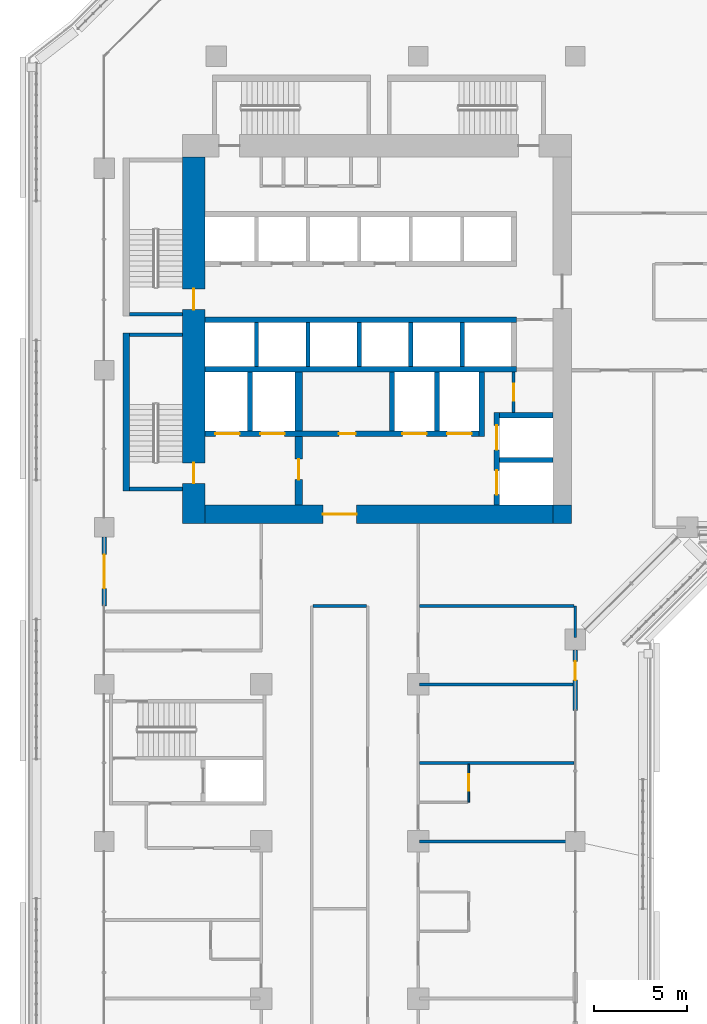
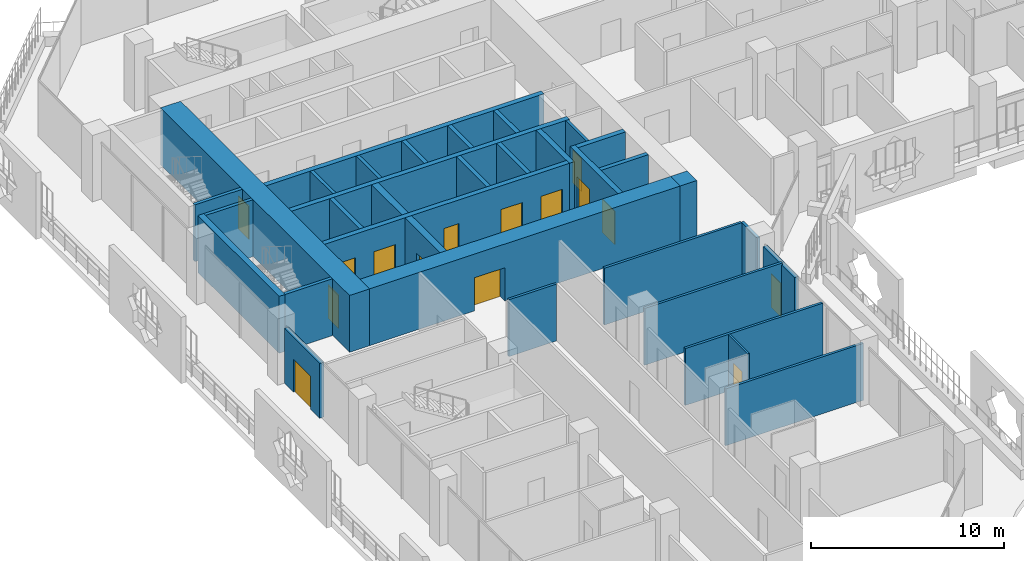
# One storey, part 13 of 25: 34 walls, 15 doors, 15 openings.
"""IFC4 building model written with IfcOpenShell, lengths in metres."""

import ifcopenshell
import ifcopenshell.guid

model = None  # the IFC model being written
_history = None  # IfcOwnerHistory: only IFC2X3 demands one
_inside = {}  # id of a spatial element -> (the spatial element, [elements in it])
_under = {}  # id of a project, library or spatial element -> (it, [spatial elements below it])
_declared = {}  # id of a project -> (the project, [libraries it declares])
_typed = {}  # id of a type object -> (the type object, [elements of that type])
_made_of = {}  # id of a material, layer set ... -> (it, [elements and type objects made of it])


def new_model(schema):
    """Start an empty IFC model of exactly this schema.

    Asked for "IFC4X3", IfcOpenShell would pick the latest addendum, in which some entities
    have other attributes; the version numbers below select the first issue.
    IFC2X3 requires an IfcOwnerHistory on every rooted entity: one is made here for all.
    """
    global model, _history
    if schema == "IFC4X3":
        model = ifcopenshell.file(schema_version=(4, 3, 0, 0))
    else:
        model = ifcopenshell.file(schema=schema)
    _inside.clear()
    _under.clear()
    _declared.clear()
    _typed.clear()
    _made_of.clear()
    _history = None
    if model.schema == "IFC2X3":
        org = make("IfcOrganization", Name="unknown")
        user = make(
            "IfcPersonAndOrganization",
            ThePerson=make("IfcPerson", FamilyName="unknown"),
            TheOrganization=org,
        )
        app = make(
            "IfcApplication",
            ApplicationDeveloper=org,
            Version="unknown",
            ApplicationFullName="unknown",
            ApplicationIdentifier="unknown",
        )
        _history = make(
            "IfcOwnerHistory",
            OwningUser=user,
            OwningApplication=app,
            ChangeAction="ADDED",
            CreationDate=0,
        )
    return model


def make(cls, **values):
    """One entity of the class cls with the attributes given. An attribute that is None is left unset."""
    return model.create_entity(
        cls, **{name: value for name, value in values.items() if value is not None}
    )


def rooted(cls, **values):
    """An entity with a GlobalId (a new one), such as an element, a storey or a relation."""
    return make(cls, GlobalId=ifcopenshell.guid.new(), OwnerHistory=_history, **values)


def si_unit(unit_type, name, prefix=None):
    """IfcSIUnit, for example si_unit("LENGTHUNIT", "METRE", prefix="MILLI")."""
    return make("IfcSIUnit", UnitType=unit_type, Prefix=prefix, Name=name)


def assignment(units):
    """IfcUnitAssignment: the units of a project."""
    return None if units is None else make("IfcUnitAssignment", Units=units)


def point(xyz):
    """IfcCartesianPoint."""
    return None if xyz is None else make("IfcCartesianPoint", Coordinates=xyz)


def direction(xyz):
    """IfcDirection."""
    return None if xyz is None else make("IfcDirection", DirectionRatios=xyz)


def frame(location, z_axis=None, x_axis=None):
    """IfcAxis2Placement3D, a coordinate frame: its origin and axes. An axis left out is left unset."""
    return make(
        "IfcAxis2Placement3D",
        Location=point(location),
        Axis=direction(z_axis),
        RefDirection=direction(x_axis),
    )


def frame_2d(location, x_axis=None):
    """IfcAxis2Placement2D, a coordinate frame in the plane: its origin and x axis."""
    return make(
        "IfcAxis2Placement2D", Location=point(location), RefDirection=direction(x_axis)
    )


def origin():
    """The frame at (0, 0, 0) with its axes left unset."""
    return frame((0.0, 0.0, 0.0))


def place(relative_to, where):
    """IfcLocalPlacement: puts the frame where relative to a parent placement (None: the world)."""
    return make(
        "IfcLocalPlacement", PlacementRelTo=relative_to, RelativePlacement=where
    )


def context(
    kind, dimensions, precision=None, world=None, true_north=None, identifier=None
):
    """IfcGeometricRepresentationContext, for example the 3D "Model" context."""
    return make(
        "IfcGeometricRepresentationContext",
        ContextIdentifier=identifier,
        ContextType=kind,
        CoordinateSpaceDimension=dimensions,
        Precision=precision,
        WorldCoordinateSystem=world,
        TrueNorth=true_north,
    )


def subcontext(parent, identifier, kind, view, scale=None):
    """IfcGeometricRepresentationSubContext, for example "Body" below "Model"."""
    return make(
        "IfcGeometricRepresentationSubContext",
        ContextIdentifier=identifier,
        ContextType=kind,
        ParentContext=parent,
        TargetScale=scale,
        TargetView=view,
    )


def project(units=None, contexts=None):
    """IfcProject with its units and contexts."""
    return rooted(
        "IfcProject",
        Name="project",
        RepresentationContexts=contexts,
        UnitsInContext=assignment(units),
    )


def spatial(cls, under=None, at=None, **own):
    """A site, building, storey or space (cls), placed at a placement, below another one or the project."""
    s = rooted(cls, ObjectPlacement=at, **own)
    if under is not None:
        _under.setdefault(under.id(), (under, []))[1].append(s)
    return s


def profile(cls, at=None, kind="AREA", **sizes):
    """A parametric profile (cls). Its sizes go by their IFC names, for example OverallWidth=200.0."""
    return make(cls, ProfileType=kind, Position=at, **sizes)


def rectangle(**sizes):
    """IfcRectangleProfileDef."""
    return profile("IfcRectangleProfileDef", **sizes)


def extrude(swept, where, along, depth):
    """IfcExtrudedAreaSolid: the profile swept, set in the frame where, extruded along a direction by depth."""
    return make(
        "IfcExtrudedAreaSolid",
        SweptArea=swept,
        Position=where,
        ExtrudedDirection=direction(along),
        Depth=depth,
    )


def shape(context_of_items, identifier, shape_type, items):
    """IfcShapeRepresentation: the items that make up one representation, for example the "Body"."""
    return make(
        "IfcShapeRepresentation",
        ContextOfItems=context_of_items,
        RepresentationIdentifier=identifier,
        RepresentationType=shape_type,
        Items=items,
    )


def material(Name=None, Category=None):
    """IfcMaterial."""
    return make("IfcMaterial", Name=Name, Category=Category)


def layer(
    of_material, thickness, ventilated=None, Name=None, Category=None, Priority=None
):
    """IfcMaterialLayer: one layer of a wall or slab, of a material (None: an air gap)."""
    return make(
        "IfcMaterialLayer",
        Material=of_material,
        LayerThickness=thickness,
        IsVentilated=ventilated,
        Name=Name,
        Category=Category,
        Priority=Priority,
    )


def layer_set(layers, Name=None):
    """IfcMaterialLayerSet."""
    return make("IfcMaterialLayerSet", MaterialLayers=layers, LayerSetName=Name)


def made_of(thing, what):
    """Note that an element or type object is made of a material, layer set ...; save() writes the relation."""
    if what is not None:
        _made_of.setdefault(what.id(), (what, []))[1].append(thing)
    return thing


def type_object(cls, material=None, **own):
    """A type object (cls), such as IfcWallType, which elements share."""
    return made_of(rooted(cls, **own), material)


def element(
    cls,
    number,
    at=None,
    inside=None,
    cuts=None,
    type_object=None,
    material=None,
    context=None,
    identifier="Body",
    shape_type=None,
    held_by="IfcProductDefinitionShape",
    body=None,
    shapes=None,
    **own,
):
    """One element of the class cls, such as IfcWall. Its Tag is "e" and its number.

    at: its placement. inside: the storey or other place that contains it. cuts: it is an
    opening in that element (IfcRelVoidsElement). A single representation is given by context,
    identifier, shape_type and body (its items); several are given by shapes. held_by: the class
    of the entity that holds the representations. save() writes the other relations.
    """
    e = rooted(cls, Tag="e%d" % number, ObjectPlacement=at, **own)
    if body is not None:
        shapes = [shape(context, identifier, shape_type, body)]
    if shapes is not None:
        e.Representation = make(held_by, Representations=shapes)
    if inside is not None:
        _inside.setdefault(inside.id(), (inside, []))[1].append(e)
    if cuts is not None:
        rooted(
            "IfcRelVoidsElement", RelatingBuildingElement=cuts, RelatedOpeningElement=e
        )
    if type_object is not None:
        _typed.setdefault(type_object.id(), (type_object, []))[1].append(e)
    return made_of(e, material)


def fill(opening, filler):
    """IfcRelFillsElement: the door or window that sits in an opening."""
    return rooted(
        "IfcRelFillsElement",
        RelatingOpeningElement=opening,
        RelatedBuildingElement=filler,
    )


def aggregate(whole, parts):
    """IfcRelAggregates: a whole, such as a stair, and the parts it consists of."""
    return rooted("IfcRelAggregates", RelatingObject=whole, RelatedObjects=parts)


def save(model, path):
    """Write the relations noted so far, then the file.

    IfcRelAggregates (storeys below a building ...), IfcRelContainedInSpatialStructure (elements
    in a storey), IfcRelDefinesByType, IfcRelAssociatesMaterial and IfcRelDeclares: one each for
    every whole, place, type object, material and project.
    """
    for whole, parts in _under.values():
        aggregate(whole, parts)
    for where, things in _inside.values():
        rooted(
            "IfcRelContainedInSpatialStructure",
            RelatedElements=things,
            RelatingStructure=where,
        )
    for kind, things in _typed.values():
        rooted("IfcRelDefinesByType", RelatedObjects=things, RelatingType=kind)
    for what, things in _made_of.values():
        rooted("IfcRelAssociatesMaterial", RelatedObjects=things, RelatingMaterial=what)
    for by, libraries in _declared.values():
        rooted("IfcRelDeclares", RelatingContext=by, RelatedDefinitions=libraries)
    model.write(path)


model = new_model("IFC4")

# Units and contexts
model_context = context("Model", 3, precision=1e-05, world=origin(), true_north=direction((0.0, 1.0)))
body_context = subcontext(model_context, "Body", "Model", "MODEL_VIEW")
ifc_project = project(units=[si_unit("LENGTHUNIT", "METRE"), si_unit("AREAUNIT", "SQUARE_METRE"), si_unit("VOLUMEUNIT", "CUBIC_METRE"), si_unit("PLANEANGLEUNIT", "RADIAN"), si_unit("MASSUNIT", "GRAM", prefix="KILO")], contexts=[model_context])

# Site, building, storey
site_placement = place(None, origin())
site = spatial("IfcSite", under=ifc_project, at=site_placement, CompositionType="ELEMENT")
building_placement = place(site_placement, origin())
building = spatial("IfcBuilding", under=site, at=building_placement, Name="Kawkab Arch Medical Tower", CompositionType="ELEMENT")
storey_placement = place(building_placement, frame((0.0, 0.0, 140.800048828125)))
storey = spatial("IfcBuildingStorey", under=building, at=storey_placement, Name="L32", CompositionType="ELEMENT", Elevation=140.800048828125)

# Wall, opening, door
ifc_material_1 = material(Name="Concrete C60/75", Category="concrete")
ifc_layer_1 = layer(ifc_material_1, 1.0)
ifc_layer_set_1 = layer_set([ifc_layer_1], Name="Concrete C60/75")
wall_type_1 = type_object("IfcWallType", Name="Core ring wall 1000 C60/75", PredefinedType="SHEAR", material=ifc_layer_set_1)
wall_1_placement = place(storey_placement, frame((5.39990234375, -24.5, 0.0), z_axis=(0.0, 0.0, 1.0), x_axis=(1.0, 0.0, 0.0)))
wall_1 = element("IfcWall", 1, at=wall_1_placement, inside=storey, type_object=wall_type_1, Name="L32 core wall", PredefinedType="SHEAR", context=body_context, shape_type="SweptSolid", body=[
    extrude(rectangle(XDim=18.60009765625, YDim=1.0, at=frame_2d((9.300048828125, 0.0))), origin(), (0.0, 0.0, 1.0), 3.599853515625),
])
opening_1_placement = place(wall_1_placement, frame((6.300048828125, 0.0, 0.0)))
opening_1 = element("IfcOpeningElement", 2, at=opening_1_placement, cuts=wall_1, Name="Opening PD", PredefinedType="OPENING", context=body_context, shape_type="SweptSolid", body=[
    extrude(rectangle(XDim=1.800048828125, YDim=2.10009765625, at=frame_2d((0.89990234375, 1.050048828125))), frame((0.0, 0.510009765625, 0.0), z_axis=(0.0, -1.0, 0.0), x_axis=(1.0, 0.0, 0.0)), (0.0, 0.0, 1.0), 1.02001953125),
])
ifc_material_2 = material(Name="Hollow metal fire door leaf")
door_type_1 = type_object("IfcDoorType", Name="Core entrance doors 1800", OperationType="DOUBLE_DOOR_SINGLE_SWING", PredefinedType="DOOR", material=ifc_material_2)
door_1_placement = place(opening_1_placement, origin())
door_1 = element("IfcDoor", 3, at=door_1_placement, inside=storey, type_object=door_type_1, Name="L32 South entrance doors", OperationType="DOUBLE_DOOR_SINGLE_SWING", OverallHeight=2.10009765625, OverallWidth=1.800048828125, PredefinedType="DOOR", context=body_context, shape_type="SweptSolid", body=[
    extrude(rectangle(XDim=1.800048828125, YDim=2.10009765625, at=frame_2d((0.89990234375, 1.050048828125))), frame((0.0, 0.02490234375, 0.0), z_axis=(0.0, -1.0, 0.0), x_axis=(1.0, 0.0, 0.0)), (0.0, 0.0, 1.0), 0.050048828125),
])
fill(opening_1, door_1)

# Wall
wall_2_placement = place(storey_placement, frame((24.5, -25.0, 0.0), z_axis=(0.0, 0.0, 1.0), x_axis=(0.0, 1.0, 0.0)))
element("IfcWall", 4, at=wall_2_placement, inside=storey, type_object=wall_type_1, Name="L32 core wall", PredefinedType="SHEAR", context=body_context, shape_type="SweptSolid", body=[
    extrude(rectangle(XDim=1.0, YDim=1.0, at=frame_2d((0.5, 0.0))), origin(), (0.0, 0.0, 1.0), 3.599853515625),
])

# Wall, openings, doors
ifc_material_3 = material(Name="Concrete C60/75", Category="concrete")
ifc_layer_2 = layer(ifc_material_3, 1.199951171875)
ifc_layer_set_2 = layer_set([ifc_layer_2], Name="Concrete C60/75")
wall_type_2 = type_object("IfcWallType", Name="Core ring wall 1200 C60/75", PredefinedType="SHEAR", material=ifc_layer_set_2)
wall_3_placement = place(storey_placement, frame((4.800048828125, -25.0, 0.0), z_axis=(0.0, 0.0, 1.0), x_axis=(0.0, 1.0, 0.0)))
wall_3 = element("IfcWall", 5, at=wall_3_placement, inside=storey, type_object=wall_type_2, Name="L32 core wall", PredefinedType="SHEAR", context=body_context, shape_type="SweptSolid", body=[
    extrude(rectangle(XDim=19.60009765625, YDim=1.199951171875, at=frame_2d((9.800048828125, 0.0))), origin(), (0.0, 0.0, 1.0), 3.599853515625),
])
opening_2_placement = place(wall_3_placement, frame((11.449951171875, 0.0, 0.0)))
opening_2 = element("IfcOpeningElement", 6, at=opening_2_placement, cuts=wall_3, Name="Opening SD", PredefinedType="OPENING", context=body_context, shape_type="SweptSolid", body=[
    extrude(rectangle(XDim=1.10009765625, YDim=2.10009765625, at=frame_2d((0.550048828125, 1.050048828125))), frame((0.0, 0.60986328125, 0.0), z_axis=(0.0, -1.0, 0.0), x_axis=(1.0, 0.0, 0.0)), (0.0, 0.0, 1.0), 1.219970703125),
])
opening_3_placement = place(wall_3_placement, frame((2.14990234375, 0.0, 0.0)))
opening_3 = element("IfcOpeningElement", 7, at=opening_3_placement, cuts=wall_3, Name="Opening SD", PredefinedType="OPENING", context=body_context, shape_type="SweptSolid", body=[
    extrude(rectangle(XDim=1.10009765625, YDim=2.10009765625, at=frame_2d((0.550048828125, 1.050048828125))), frame((0.0, 0.60986328125, 0.0), z_axis=(0.0, -1.0, 0.0), x_axis=(1.0, 0.0, 0.0)), (0.0, 0.0, 1.0), 1.219970703125),
])
ifc_material_4 = material(Name="Hollow metal fire door leaf")
door_type_2 = type_object("IfcDoorType", Name="Exit stair door 1100", OperationType="SINGLE_SWING_LEFT", PredefinedType="DOOR", material=ifc_material_4)
door_2_placement = place(opening_2_placement, origin())
door_2 = element("IfcDoor", 8, at=door_2_placement, inside=storey, type_object=door_type_2, Name="L32 Exit stair ST1 door", OperationType="SINGLE_SWING_LEFT", OverallHeight=2.10009765625, OverallWidth=1.10009765625, PredefinedType="DOOR", context=body_context, shape_type="SweptSolid", body=[
    extrude(rectangle(XDim=1.10009765625, YDim=2.10009765625, at=frame_2d((0.550048828125, 1.050048828125))), frame((0.0, 0.02490234375, 0.0), z_axis=(0.0, -1.0, 0.0), x_axis=(1.0, 0.0, 0.0)), (0.0, 0.0, 1.0), 0.050048828125),
])
fill(opening_2, door_2)
door_3_placement = place(opening_3_placement, origin())
door_3 = element("IfcDoor", 9, at=door_3_placement, inside=storey, type_object=door_type_2, Name="L32 Exit stair ST2 door", OperationType="SINGLE_SWING_LEFT", OverallHeight=2.10009765625, OverallWidth=1.10009765625, PredefinedType="DOOR", context=body_context, shape_type="SweptSolid", body=[
    extrude(rectangle(XDim=1.10009765625, YDim=2.10009765625, at=frame_2d((0.550048828125, 1.050048828125))), frame((0.0, 0.02490234375, 0.0), z_axis=(0.0, -1.0, 0.0), x_axis=(1.0, 0.0, 0.0)), (0.0, 0.0, 1.0), 0.050048828125),
])
fill(opening_3, door_3)

# Wall, opening, door
ifc_material_5 = material(Name="Gypsum board on steel studs", Category="steel")
ifc_layer_3 = layer(ifc_material_5, 0.14990234375)
ifc_layer_set_3 = layer_set([ifc_layer_3], Name="Gypsum board on steel studs")
wall_type_3 = type_object("IfcWallType", Name="Core room partition 150", PredefinedType="PARTITIONING", material=ifc_layer_set_3)
wall_4_placement = place(storey_placement, frame((21.89990234375, -19.050048828125, 0.0), z_axis=(0.0, 0.0, 1.0), x_axis=(0.0, 1.0, 0.0)))
wall_4 = element("IfcWall", 10, at=wall_4_placement, inside=storey, type_object=wall_type_3, Name="L32 core room partition", PredefinedType="PARTITIONING", context=body_context, shape_type="SweptSolid", body=[
    extrude(rectangle(XDim=2.150146484375, YDim=0.14990234375, at=frame_2d((1.0751953125, 0.0))), origin(), (0.0, 0.0, 1.0), 3.599853515625),
])
opening_4_placement = place(wall_4_placement, frame((0.625, 0.0, 0.0)))
opening_4 = element("IfcOpeningElement", 11, at=opening_4_placement, cuts=wall_4, Name="Opening RD", PredefinedType="OPENING", context=body_context, shape_type="SweptSolid", body=[
    extrude(rectangle(XDim=0.89990234375, YDim=2.10009765625, at=frame_2d((0.449951171875, 1.050048828125))), frame((0.0, 0.0849609375, 0.0), z_axis=(0.0, -1.0, 0.0), x_axis=(1.0, 0.0, 0.0)), (0.0, 0.0, 1.0), 0.169921875),
])
ifc_material_6 = material(Name="Hollow metal fire door leaf")
door_type_3 = type_object("IfcDoorType", Name="Core room door 900", OperationType="SINGLE_SWING_LEFT", PredefinedType="DOOR", material=ifc_material_6)
door_4_placement = place(opening_4_placement, origin())
door_4 = element("IfcDoor", 12, at=door_4_placement, inside=storey, type_object=door_type_3, Name="L32 Staff WC door", OperationType="SINGLE_SWING_LEFT", OverallHeight=2.10009765625, OverallWidth=0.89990234375, PredefinedType="DOOR", context=body_context, shape_type="SweptSolid", body=[
    extrude(rectangle(XDim=0.89990234375, YDim=2.10009765625, at=frame_2d((0.449951171875, 1.050048828125))), frame((0.0, 0.02490234375, 0.0), z_axis=(0.0, -1.0, 0.0), x_axis=(1.0, 0.0, 0.0)), (0.0, 0.0, 1.0), 0.050048828125),
])
fill(opening_4, door_4)

# Walls
ifc_material_7 = material(Name="Concrete C60/75", Category="concrete")
ifc_layer_4 = layer(ifc_material_7, 0.25)
ifc_layer_set_4 = layer_set([ifc_layer_4], Name="Concrete C60/75")
wall_type_4 = type_object("IfcWallType", Name="Core shear wall 250 C60/75", PredefinedType="SHEAR", material=ifc_layer_set_4)
wall_5_placement = place(storey_placement, frame((21.14990234375, -21.60009765625, 0.0), z_axis=(0.0, 0.0, 1.0), x_axis=(1.0, 0.0, 0.0)))
element("IfcWall", 13, at=wall_5_placement, inside=storey, type_object=wall_type_4, Name="L32 core shear wall", PredefinedType="SHEAR", context=body_context, shape_type="SweptSolid", body=[
    extrude(rectangle(XDim=2.85009765625, YDim=0.25, at=frame_2d((1.425048828125, 0.0))), origin(), (0.0, 0.0, 1.0), 3.599853515625),
])
for number, where, z_axis, x_axis, name in (
    (14, (7.800048828125, -20.050048828125, 0.0), (0.0, 0.0, 1.0), (0.0, 1.0, 0.0), "L32 core shear wall"),
    (15, (15.39990234375, -20.050048828125, 0.0), (0.0, 0.0, 1.0), (0.0, 1.0, 0.0), "L32 core shear wall"),
    (16, (17.800048828125, -20.050048828125, 0.0), (0.0, 0.0, 1.0), (0.0, 1.0, 0.0), "L32 core shear wall"),
):
    element("IfcWall", number, at=place(storey_placement, frame(where, z_axis=z_axis, x_axis=x_axis)), inside=storey, type_object=wall_type_4, Name=name, PredefinedType="SHEAR", context=body_context, shape_type="SweptSolid", body=[
        extrude(rectangle(XDim=3.150146484375, YDim=0.25, at=frame_2d((1.5751953125, 0.0))), origin(), (0.0, 0.0, 1.0), 3.599853515625),
    ])
for number, where, z_axis, x_axis, name in (
    (17, (13.64990234375, -16.60009765625, 0.0), (0.0, 0.0, 1.0), (0.0, 1.0, 0.0), "L32 core shear wall"),
    (18, (16.39990234375, -16.60009765625, 0.0), (0.0, 0.0, 1.0), (0.0, 1.0, 0.0), "L32 core shear wall"),
    (19, (19.14990234375, -16.60009765625, 0.0), (0.0, 0.0, 1.0), (0.0, 1.0, 0.0), "L32 core shear wall"),
):
    element("IfcWall", number, at=place(storey_placement, frame(where, z_axis=z_axis, x_axis=x_axis)), inside=storey, type_object=wall_type_4, Name=name, PredefinedType="SHEAR", context=body_context, shape_type="SweptSolid", body=[
        extrude(rectangle(XDim=2.35009765625, YDim=0.25, at=frame_2d((1.175048828125, 0.0))), origin(), (0.0, 0.0, 1.0), 3.599853515625),
    ])
ifc_material_8 = material(Name="Concrete C60/75", Category="concrete")
ifc_layer_5 = layer(ifc_material_8, 0.300048828125)
ifc_layer_set_5 = layer_set([ifc_layer_5], Name="Concrete C60/75")
wall_type_5 = type_object("IfcWallType", Name="Core shear wall 300 C60/75", PredefinedType="SHEAR", material=ifc_layer_set_5)
for number, where, z_axis, x_axis, name in (
    (20, (5.39990234375, -14.10009765625, 0.0), (0.0, 0.0, 1.0), (1.0, 0.0, 0.0), "L32 core shear wall"),
    (21, (5.39990234375, -16.75, 0.0), (0.0, 0.0, 1.0), (1.0, 0.0, 0.0), "L32 core shear wall"),
):
    element("IfcWall", number, at=place(storey_placement, frame(where, z_axis=z_axis, x_axis=x_axis)), inside=storey, type_object=wall_type_5, Name=name, PredefinedType="SHEAR", context=body_context, shape_type="SweptSolid", body=[
        extrude(rectangle(XDim=16.650146484375, YDim=0.300048828125, at=frame_2d((8.3251953125, 0.0))), origin(), (0.0, 0.0, 1.0), 3.599853515625),
    ])

# Wall, openings, doors
wall_6_placement = place(storey_placement, frame((5.39990234375, -20.199951171875, 0.0), z_axis=(0.0, 0.0, 1.0), x_axis=(1.0, 0.0, 0.0)))
wall_6 = element("IfcWall", 22, at=wall_6_placement, inside=storey, type_object=wall_type_5, Name="L32 core shear wall", PredefinedType="SHEAR", context=body_context, shape_type="SweptSolid", body=[
    extrude(rectangle(XDim=14.650146484375, YDim=0.300048828125, at=frame_2d((7.3251953125, 0.0))), origin(), (0.0, 0.0, 1.0), 3.599853515625),
])
opening_5_placement = place(wall_6_placement, frame((10.550048828125, 0.0, 0.0)))
opening_5 = element("IfcOpeningElement", 23, at=opening_5_placement, cuts=wall_6, Name="Opening LD2", PredefinedType="OPENING", context=body_context, shape_type="SweptSolid", body=[
    extrude(rectangle(XDim=1.300048828125, YDim=2.10009765625, at=frame_2d((0.64990234375, 1.050048828125))), frame((0.0, 0.159912109375, 0.0), z_axis=(0.0, -1.0, 0.0), x_axis=(1.0, 0.0, 0.0)), (0.0, 0.0, 1.0), 0.320068359375),
])
opening_6_placement = place(wall_6_placement, frame((12.949951171875, 0.0, 0.0)))
opening_6 = element("IfcOpeningElement", 24, at=opening_6_placement, cuts=wall_6, Name="Opening LD2", PredefinedType="OPENING", context=body_context, shape_type="SweptSolid", body=[
    extrude(rectangle(XDim=1.300048828125, YDim=2.10009765625, at=frame_2d((0.64990234375, 1.050048828125))), frame((0.0, 0.159912109375, 0.0), z_axis=(0.0, -1.0, 0.0), x_axis=(1.0, 0.0, 0.0)), (0.0, 0.0, 1.0), 0.320068359375),
])
opening_7_placement = place(wall_6_placement, frame((0.550048828125, 0.0, 0.0)))
opening_7 = element("IfcOpeningElement", 25, at=opening_7_placement, cuts=wall_6, Name="Opening LD2", PredefinedType="OPENING", context=body_context, shape_type="SweptSolid", body=[
    extrude(rectangle(XDim=1.300048828125, YDim=2.10009765625, at=frame_2d((0.64990234375, 1.050048828125))), frame((0.0, 0.159912109375, 0.0), z_axis=(0.0, -1.0, 0.0), x_axis=(1.0, 0.0, 0.0)), (0.0, 0.0, 1.0), 0.320068359375),
])
opening_8_placement = place(wall_6_placement, frame((2.949951171875, 0.0, 0.0)))
opening_8 = element("IfcOpeningElement", 26, at=opening_8_placement, cuts=wall_6, Name="Opening LD2", PredefinedType="OPENING", context=body_context, shape_type="SweptSolid", body=[
    extrude(rectangle(XDim=1.300048828125, YDim=2.10009765625, at=frame_2d((0.64990234375, 1.050048828125))), frame((0.0, 0.159912109375, 0.0), z_axis=(0.0, -1.0, 0.0), x_axis=(1.0, 0.0, 0.0)), (0.0, 0.0, 1.0), 0.320068359375),
])
opening_9_placement = place(wall_6_placement, frame((7.14990234375, 0.0, 0.0)))
opening_9 = element("IfcOpeningElement", 27, at=opening_9_placement, cuts=wall_6, Name="Opening RD", PredefinedType="OPENING", context=body_context, shape_type="SweptSolid", body=[
    extrude(rectangle(XDim=0.89990234375, YDim=2.10009765625, at=frame_2d((0.449951171875, 1.050048828125))), frame((0.0, 0.159912109375, 0.0), z_axis=(0.0, -1.0, 0.0), x_axis=(1.0, 0.0, 0.0)), (0.0, 0.0, 1.0), 0.320068359375),
])
door_5_placement = place(opening_9_placement, origin())
door_5 = element("IfcDoor", 28, at=door_5_placement, inside=storey, type_object=door_type_3, Name="L32 Housekeeping store door", OperationType="SINGLE_SWING_LEFT", OverallHeight=2.10009765625, OverallWidth=0.89990234375, PredefinedType="DOOR", context=body_context, shape_type="SweptSolid", body=[
    extrude(rectangle(XDim=0.89990234375, YDim=2.10009765625, at=frame_2d((0.449951171875, 1.050048828125))), frame((0.0, 0.02490234375, 0.0), z_axis=(0.0, -1.0, 0.0), x_axis=(1.0, 0.0, 0.0)), (0.0, 0.0, 1.0), 0.050048828125),
])
fill(opening_9, door_5)
ifc_material_9 = material(Name="Stainless steel lift door leaf", Category="steel")
door_type_4 = type_object("IfcDoorType", Name="Lift landing door 1300", OperationType="DOUBLE_DOOR_SLIDING", PredefinedType="DOOR", material=ifc_material_9)
door_6_placement = place(opening_5_placement, origin())
door_6 = element("IfcDoor", 29, at=door_6_placement, inside=storey, type_object=door_type_4, Name="L32 Lift landing door BD3", OperationType="DOUBLE_DOOR_SLIDING", OverallHeight=2.10009765625, OverallWidth=1.300048828125, PredefinedType="DOOR", context=body_context, shape_type="SweptSolid", body=[
    extrude(rectangle(XDim=1.300048828125, YDim=2.10009765625, at=frame_2d((0.64990234375, 1.050048828125))), frame((0.0, 0.02490234375, 0.0), z_axis=(0.0, -1.0, 0.0), x_axis=(1.0, 0.0, 0.0)), (0.0, 0.0, 1.0), 0.050048828125),
])
fill(opening_5, door_6)
door_7_placement = place(opening_6_placement, origin())
door_7 = element("IfcDoor", 30, at=door_7_placement, inside=storey, type_object=door_type_4, Name="L32 Lift landing door BD4", OperationType="DOUBLE_DOOR_SLIDING", OverallHeight=2.10009765625, OverallWidth=1.300048828125, PredefinedType="DOOR", context=body_context, shape_type="SweptSolid", body=[
    extrude(rectangle(XDim=1.300048828125, YDim=2.10009765625, at=frame_2d((0.64990234375, 1.050048828125))), frame((0.0, 0.02490234375, 0.0), z_axis=(0.0, -1.0, 0.0), x_axis=(1.0, 0.0, 0.0)), (0.0, 0.0, 1.0), 0.050048828125),
])
fill(opening_6, door_7)
door_8_placement = place(opening_7_placement, origin())
door_8 = element("IfcDoor", 31, at=door_8_placement, inside=storey, type_object=door_type_4, Name="L32 Lift landing door FL1", OperationType="DOUBLE_DOOR_SLIDING", OverallHeight=2.10009765625, OverallWidth=1.300048828125, PredefinedType="DOOR", context=body_context, shape_type="SweptSolid", body=[
    extrude(rectangle(XDim=1.300048828125, YDim=2.10009765625, at=frame_2d((0.64990234375, 1.050048828125))), frame((0.0, 0.02490234375, 0.0), z_axis=(0.0, -1.0, 0.0), x_axis=(1.0, 0.0, 0.0)), (0.0, 0.0, 1.0), 0.050048828125),
])
fill(opening_7, door_8)
door_9_placement = place(opening_8_placement, origin())
door_9 = element("IfcDoor", 32, at=door_9_placement, inside=storey, type_object=door_type_4, Name="L32 Lift landing door FL2", OperationType="DOUBLE_DOOR_SLIDING", OverallHeight=2.10009765625, OverallWidth=1.300048828125, PredefinedType="DOOR", context=body_context, shape_type="SweptSolid", body=[
    extrude(rectangle(XDim=1.300048828125, YDim=2.10009765625, at=frame_2d((0.64990234375, 1.050048828125))), frame((0.0, 0.02490234375, 0.0), z_axis=(0.0, -1.0, 0.0), x_axis=(1.0, 0.0, 0.0)), (0.0, 0.0, 1.0), 0.050048828125),
])
fill(opening_8, door_9)

# Walls
wall_7_placement = place(storey_placement, frame((20.199951171875, -20.35009765625, 0.0), z_axis=(0.0, 0.0, 1.0), x_axis=(0.0, 1.0, 0.0)))
element("IfcWall", 33, at=wall_7_placement, inside=storey, type_object=wall_type_5, Name="L32 core shear wall", PredefinedType="SHEAR", context=body_context, shape_type="SweptSolid", body=[
    extrude(rectangle(XDim=3.4501953125, YDim=0.300048828125, at=frame_2d((1.72509765625, 0.0))), origin(), (0.0, 0.0, 1.0), 3.599853515625),
])
wall_8_placement = place(storey_placement, frame((21.14990234375, -19.199951171875, 0.0), z_axis=(0.0, 0.0, 1.0), x_axis=(1.0, 0.0, 0.0)))
element("IfcWall", 34, at=wall_8_placement, inside=storey, type_object=wall_type_5, Name="L32 core shear wall", PredefinedType="SHEAR", context=body_context, shape_type="SweptSolid", body=[
    extrude(rectangle(XDim=2.85009765625, YDim=0.300048828125, at=frame_2d((1.425048828125, 0.0))), origin(), (0.0, 0.0, 1.0), 3.599853515625),
])

# Wall, openings, doors
wall_9_placement = place(storey_placement, frame((21.0, -24.0, 0.0), z_axis=(0.0, 0.0, 1.0), x_axis=(0.0, 1.0, 0.0)))
wall_9 = element("IfcWall", 35, at=wall_9_placement, inside=storey, type_object=wall_type_5, Name="L32 core shear wall", PredefinedType="SHEAR", context=body_context, shape_type="SweptSolid", body=[
    extrude(rectangle(XDim=4.949951171875, YDim=0.300048828125, at=frame_2d((2.47509765625, 0.0))), origin(), (0.0, 0.0, 1.0), 3.599853515625),
])
opening_10_placement = place(wall_9_placement, frame((2.949951171875, 0.0, 0.0)))
opening_10 = element("IfcOpeningElement", 36, at=opening_10_placement, cuts=wall_9, Name="Opening LD2", PredefinedType="OPENING", context=body_context, shape_type="SweptSolid", body=[
    extrude(rectangle(XDim=1.300048828125, YDim=2.10009765625, at=frame_2d((0.64990234375, 1.050048828125))), frame((0.0, 0.159912109375, 0.0), z_axis=(0.0, -1.0, 0.0), x_axis=(1.0, 0.0, 0.0)), (0.0, 0.0, 1.0), 0.320068359375),
])
opening_11_placement = place(wall_9_placement, frame((0.550048828125, 0.0, 0.0)))
opening_11 = element("IfcOpeningElement", 37, at=opening_11_placement, cuts=wall_9, Name="Opening LD2", PredefinedType="OPENING", context=body_context, shape_type="SweptSolid", body=[
    extrude(rectangle(XDim=1.300048828125, YDim=2.10009765625, at=frame_2d((0.64990234375, 1.050048828125))), frame((0.0, 0.159912109375, 0.0), z_axis=(0.0, -1.0, 0.0), x_axis=(1.0, 0.0, 0.0)), (0.0, 0.0, 1.0), 0.320068359375),
])
door_10_placement = place(opening_10_placement, origin())
door_10 = element("IfcDoor", 38, at=door_10_placement, inside=storey, type_object=door_type_4, Name="L32 Lift landing door BD1", OperationType="DOUBLE_DOOR_SLIDING", OverallHeight=2.10009765625, OverallWidth=1.300048828125, PredefinedType="DOOR", context=body_context, shape_type="SweptSolid", body=[
    extrude(rectangle(XDim=1.300048828125, YDim=2.10009765625, at=frame_2d((0.64990234375, 1.050048828125))), frame((0.0, 0.02490234375, 0.0), z_axis=(0.0, -1.0, 0.0), x_axis=(1.0, 0.0, 0.0)), (0.0, 0.0, 1.0), 0.050048828125),
])
fill(opening_10, door_10)
door_11_placement = place(opening_11_placement, origin())
door_11 = element("IfcDoor", 39, at=door_11_placement, inside=storey, type_object=door_type_4, Name="L32 Lift landing door BD2", OperationType="DOUBLE_DOOR_SLIDING", OverallHeight=2.10009765625, OverallWidth=1.300048828125, PredefinedType="DOOR", context=body_context, shape_type="SweptSolid", body=[
    extrude(rectangle(XDim=1.300048828125, YDim=2.10009765625, at=frame_2d((0.64990234375, 1.050048828125))), frame((0.0, 0.02490234375, 0.0), z_axis=(0.0, -1.0, 0.0), x_axis=(1.0, 0.0, 0.0)), (0.0, 0.0, 1.0), 0.050048828125),
])
fill(opening_11, door_11)

# Wall, opening, door
ifc_material_10 = material(Name="Concrete C60/75", Category="concrete")
ifc_layer_6 = layer(ifc_material_10, 0.39990234375)
ifc_layer_set_6 = layer_set([ifc_layer_6], Name="Concrete C60/75")
wall_type_6 = type_object("IfcWallType", Name="Core shear wall 400 C60/75", PredefinedType="SHEAR", material=ifc_layer_set_6)
wall_10_placement = place(storey_placement, frame((10.39990234375, -24.0, 0.0), z_axis=(0.0, 0.0, 1.0), x_axis=(0.0, 1.0, 0.0)))
wall_10 = element("IfcWall", 40, at=wall_10_placement, inside=storey, type_object=wall_type_6, Name="L32 core shear wall", PredefinedType="SHEAR", context=body_context, shape_type="SweptSolid", body=[
    extrude(rectangle(XDim=3.64990234375, YDim=0.39990234375, at=frame_2d((1.824951171875, 0.0))), origin(), (0.0, 0.0, 1.0), 3.599853515625),
])
opening_12_placement = place(wall_10_placement, frame((1.35009765625, 0.0, 0.0)))
opening_12 = element("IfcOpeningElement", 41, at=opening_12_placement, cuts=wall_10, Name="Opening FD", PredefinedType="OPENING", context=body_context, shape_type="SweptSolid", body=[
    extrude(rectangle(XDim=1.10009765625, YDim=2.10009765625, at=frame_2d((0.550048828125, 1.050048828125))), frame((0.0, 0.2099609375, 0.0), z_axis=(0.0, -1.0, 0.0), x_axis=(1.0, 0.0, 0.0)), (0.0, 0.0, 1.0), 0.419921875),
])
ifc_material_11 = material(Name="Hollow metal fire door leaf")
door_type_5 = type_object("IfcDoorType", Name="Firefighting lobby door 1100", OperationType="SINGLE_SWING_LEFT", PredefinedType="DOOR", material=ifc_material_11)
door_12_placement = place(opening_12_placement, origin())
door_12 = element("IfcDoor", 42, at=door_12_placement, inside=storey, type_object=door_type_5, Name="L32 Firefighting lobby door", OperationType="SINGLE_SWING_LEFT", OverallHeight=2.10009765625, OverallWidth=1.10009765625, PredefinedType="DOOR", context=body_context, shape_type="SweptSolid", body=[
    extrude(rectangle(XDim=1.10009765625, YDim=2.10009765625, at=frame_2d((0.550048828125, 1.050048828125))), frame((0.0, 0.02490234375, 0.0), z_axis=(0.0, -1.0, 0.0), x_axis=(1.0, 0.0, 0.0)), (0.0, 0.0, 1.0), 0.050048828125),
])
fill(opening_12, door_12)

# Wall
wall_11_placement = place(storey_placement, frame((10.39990234375, -20.050048828125, 0.0), z_axis=(0.0, 0.0, 1.0), x_axis=(0.0, 1.0, 0.0)))
element("IfcWall", 43, at=wall_11_placement, inside=storey, type_object=wall_type_6, Name="L32 core shear wall", PredefinedType="SHEAR", context=body_context, shape_type="SweptSolid", body=[
    extrude(rectangle(XDim=3.150146484375, YDim=0.39990234375, at=frame_2d((1.5751953125, 0.0))), origin(), (0.0, 0.0, 1.0), 3.599853515625),
])

# Wall, opening, door
ifc_material_12 = material(Name="Bronze clad insulated wall panel")
ifc_layer_7 = layer(ifc_material_12, 0.25)
ifc_layer_set_7 = layer_set([ifc_layer_7], Name="Bronze clad insulated wall panel")
wall_type_7 = type_object("IfcWallType", Name="External wall bay 250", PredefinedType="SOLIDWALL", material=ifc_layer_set_7)
wall_12_placement = place(storey_placement, frame((0.0, -25.72509765625, 0.0), z_axis=(0.0, 0.0, 1.0), x_axis=(0.0, -1.0, 0.0)))
wall_12 = element("IfcWall", 44, at=wall_12_placement, inside=storey, type_object=wall_type_7, Name="External wall bay L32.R01.4.1", PredefinedType="SOLIDWALL", context=body_context, shape_type="SweptSolid", body=[
    extrude(rectangle(XDim=3.6748046875, YDim=0.25, at=frame_2d((1.83740234375, 0.0))), origin(), (0.0, 0.0, 1.0), 3.47998046875),
])
opening_13_placement = place(wall_12_placement, frame((0.9375, 0.0, 0.0)))
opening_13 = element("IfcOpeningElement", 45, at=opening_13_placement, cuts=wall_12, Name="Opening W27-701", PredefinedType="OPENING", context=body_context, shape_type="SweptSolid", body=[
    extrude(rectangle(XDim=1.800048828125, YDim=2.10009765625, at=frame_2d((0.89990234375, 1.050048828125))), frame((0.0, 0.135009765625, 0.0), z_axis=(0.0, -1.0, 0.0), x_axis=(1.0, 0.0, 0.0)), (0.0, 0.0, 1.0), 0.27001953125),
])
ifc_material_13 = material(Name="Bronze anodised aluminium door with tinted glass", Category="aluminium")
door_type_6 = type_object("IfcDoorType", Name="Double external door 1800 x 2100", OperationType="DOUBLE_DOOR_SINGLE_SWING", PredefinedType="DOOR", material=ifc_material_13)
door_13_placement = place(opening_13_placement, origin())
door_13 = element("IfcDoor", 46, at=door_13_placement, inside=storey, type_object=door_type_6, Name="External door L32.R01.4.1", OperationType="DOUBLE_DOOR_SINGLE_SWING", OverallHeight=2.10009765625, OverallWidth=1.800048828125, PredefinedType="DOOR", context=body_context, shape_type="SweptSolid", body=[
    extrude(rectangle(XDim=1.800048828125, YDim=2.10009765625, at=frame_2d((0.89990234375, 1.050048828125))), frame((0.0, 0.02490234375, 0.0), z_axis=(0.0, -1.0, 0.0), x_axis=(1.0, 0.0, 0.0)), (0.0, 0.0, 1.0), 0.050048828125),
])
fill(opening_13, door_13)

wall_13_placement = place(storey_placement, frame((25.199951171875, -34.99169921875, 0.0), z_axis=(0.0, 0.0, 1.0), x_axis=(0.0, 1.0, 0.0)))
wall_13 = element("IfcWall", 47, at=wall_13_placement, inside=storey, type_object=wall_type_7, Name="External wall bay L32.R05.2.3", PredefinedType="SOLIDWALL", context=body_context, shape_type="SweptSolid", body=[
    extrude(rectangle(XDim=3.24169921875, YDim=0.25, at=frame_2d((1.620849609375, 0.0))), origin(), (0.0, 0.0, 1.0), 3.47998046875),
])
opening_14_placement = place(wall_13_placement, frame((1.620849609375, 0.0, 0.0)))
opening_14 = element("IfcOpeningElement", 48, at=opening_14_placement, cuts=wall_13, Name="Opening W27-702", PredefinedType="OPENING", context=body_context, shape_type="SweptSolid", body=[
    extrude(rectangle(XDim=1.0, YDim=2.10009765625, at=frame_2d((0.5, 1.050048828125))), frame((0.0, 0.135009765625, 0.0), z_axis=(0.0, -1.0, 0.0), x_axis=(1.0, 0.0, 0.0)), (0.0, 0.0, 1.0), 0.27001953125),
])
ifc_material_14 = material(Name="Bronze anodised aluminium door with tinted glass", Category="aluminium")
door_type_7 = type_object("IfcDoorType", Name="Single external door 1000 x 2100", OperationType="SINGLE_SWING_LEFT", PredefinedType="DOOR", material=ifc_material_14)
door_14_placement = place(opening_14_placement, origin())
door_14 = element("IfcDoor", 49, at=door_14_placement, inside=storey, type_object=door_type_7, Name="External door L32.R05.2.3", OperationType="SINGLE_SWING_LEFT", OverallHeight=2.10009765625, OverallWidth=1.0, PredefinedType="DOOR", context=body_context, shape_type="SweptSolid", body=[
    extrude(rectangle(XDim=1.0, YDim=2.10009765625, at=frame_2d((0.5, 1.050048828125))), frame((0.0, 0.02490234375, 0.0), z_axis=(0.0, -1.0, 0.0), x_axis=(1.0, 0.0, 0.0)), (0.0, 0.0, 1.0), 0.050048828125),
])
fill(opening_14, door_14)

# Walls
ifc_material_15 = material(Name="Dense concrete blockwork", Category="masonry")
ifc_layer_8 = layer(ifc_material_15, 0.199951171875)
ifc_layer_set_8 = layer_set([ifc_layer_8], Name="Dense concrete blockwork")
wall_type_8 = type_object("IfcWallType", Name="Lift shaft partition 200", PredefinedType="PARTITIONING", material=ifc_layer_set_8)
for number, where, z_axis, x_axis, name in (
    (50, (8.14990234375, -16.60009765625, 0.0), (0.0, 0.0, 1.0), (0.0, 1.0, 0.0), "L32 lift shaft partition"),
    (51, (10.89990234375, -16.60009765625, 0.0), (0.0, 0.0, 1.0), (0.0, 1.0, 0.0), "L32 lift shaft partition"),
):
    element("IfcWall", number, at=place(storey_placement, frame(where, z_axis=z_axis, x_axis=x_axis)), inside=storey, type_object=wall_type_8, Name=name, PredefinedType="PARTITIONING", context=body_context, shape_type="SweptSolid", body=[
        extrude(rectangle(XDim=2.35009765625, YDim=0.199951171875, at=frame_2d((1.175048828125, 0.0))), origin(), (0.0, 0.0, 1.0), 3.599853515625),
    ])

# Wall, opening, door
ifc_material_16 = material(Name="Gypsum board partition on steel studs", Category="steel")
ifc_layer_9 = layer(ifc_material_16, 0.10009765625)
ifc_layer_set_9 = layer_set([ifc_layer_9], Name="Gypsum board partition on steel studs")
wall_type_9 = type_object("IfcWallType", Name="Partition 100", PredefinedType="PARTITIONING", material=ifc_layer_set_9)
wall_14_placement = place(storey_placement, frame((19.5, -39.89990234375, 0.0), z_axis=(0.0, 0.0, 1.0), x_axis=(0.0, 1.0, 0.0)))
wall_14 = element("IfcWall", 52, at=wall_14_placement, inside=storey, type_object=wall_type_9, Name="Partition 100 w016", PredefinedType="PARTITIONING", context=body_context, shape_type="SweptSolid", body=[
    extrude(rectangle(XDim=2.02490234375, YDim=0.10009765625, at=frame_2d((1.012451171875, 0.0))), origin(), (0.0, 0.0, 1.0), 3.599853515625),
])
opening_15_placement = place(wall_14_placement, frame((0.60009765625, 0.0, 0.0)))
opening_15 = element("IfcOpeningElement", 53, at=opening_15_placement, cuts=wall_14, Name="Opening W27-015", PredefinedType="OPENING", context=body_context, shape_type="SweptSolid", body=[
    extrude(rectangle(XDim=0.89990234375, YDim=2.10009765625, at=frame_2d((0.449951171875, 1.050048828125))), frame((0.0, 0.06005859375, 0.0), z_axis=(0.0, -1.0, 0.0), x_axis=(1.0, 0.0, 0.0)), (0.0, 0.0, 1.0), 0.1201171875),
])
ifc_material_17 = material(Name="Timber door leaf", Category="wood")
door_type_8 = type_object("IfcDoorType", Name="Single door 900x2100", OperationType="NOTDEFINED", PredefinedType="DOOR", material=ifc_material_17)
door_15_placement = place(opening_15_placement, origin())
door_15 = element("IfcDoor", 54, at=door_15_placement, inside=storey, type_object=door_type_8, Name="Door W27-015", OperationType="SINGLE_SWING_RIGHT", OverallHeight=2.10009765625, OverallWidth=0.89990234375, PredefinedType="DOOR", context=body_context, shape_type="SweptSolid", body=[
    extrude(rectangle(XDim=0.89990234375, YDim=2.10009765625, at=frame_2d((0.449951171875, 1.050048828125))), frame((0.0, 0.02490234375, 0.0), z_axis=(0.0, -1.0, 0.0), x_axis=(1.0, 0.0, 0.0)), (0.0, 0.0, 1.0), 0.050048828125),
])
fill(opening_15, door_15)

# Walls
ifc_material_18 = material(Name="Gypsum board partition on steel studs, mineral wool", Category="steel")
ifc_layer_10 = layer(ifc_material_18, 0.14990234375)
ifc_layer_set_10 = layer_set([ifc_layer_10], Name="Gypsum board partition on steel studs, mineral wool")
wall_type_10 = type_object("IfcWallType", Name="Partition 150", PredefinedType="PARTITIONING", material=ifc_layer_set_10)
for number, where, z_axis, x_axis, name in (
    (55, (16.875, -42.0, 0.0), (0.0, 0.0, 1.0), (1.0, 0.0, 0.0), "Partition 150 w036"),
    (56, (16.875, -37.800048828125, 0.0), (0.0, 0.0, 1.0), (1.0, 0.0, 0.0), "Partition 150 w037"),
    (57, (16.875, -33.60009765625, 0.0), (0.0, 0.0, 1.0), (1.0, 0.0, 0.0), "Partition 150 w039"),
):
    element("IfcWall", number, at=place(storey_placement, frame(where, z_axis=z_axis, x_axis=x_axis)), inside=storey, type_object=wall_type_10, Name=name, PredefinedType="PARTITIONING", context=body_context, shape_type="SweptSolid", body=[
        extrude(rectangle(XDim=8.2451171875, YDim=0.14990234375, at=frame_2d((4.12255859375, 0.0))), origin(), (0.0, 0.0, 1.0), 3.599853515625),
    ])
wall_15_placement = place(storey_placement, frame((11.175048828125, -29.39990234375, 0.0), z_axis=(0.0, 0.0, 1.0), x_axis=(1.0, 0.0, 0.0)))
element("IfcWall", 58, at=wall_15_placement, inside=storey, type_object=wall_type_10, Name="Partition 150 w043", PredefinedType="PARTITIONING", context=body_context, shape_type="SweptSolid", body=[
    extrude(rectangle(XDim=2.849853515625, YDim=0.14990234375, at=frame_2d((1.4248046875, 0.0))), origin(), (0.0, 0.0, 1.0), 3.599853515625),
])
wall_16_placement = place(storey_placement, frame((16.875, -29.39990234375, 0.0), z_axis=(0.0, 0.0, 1.0), x_axis=(1.0, 0.0, 0.0)))
element("IfcWall", 59, at=wall_16_placement, inside=storey, type_object=wall_type_10, Name="Partition 150 w044", PredefinedType="PARTITIONING", context=body_context, shape_type="SweptSolid", body=[
    extrude(rectangle(XDim=8.25, YDim=0.14990234375, at=frame_2d((4.125, 0.0))), origin(), (0.0, 0.0, 1.0), 3.599853515625),
])
wall_17_placement = place(storey_placement, frame((25.199951171875, -31.0869140625, 0.0), z_axis=(0.0, 0.0, 1.0), x_axis=(0.0, 1.0, 0.0)))
element("IfcWall", 60, at=wall_17_placement, inside=storey, type_object=wall_type_10, Name="Partition 150 w064", PredefinedType="PARTITIONING", context=body_context, shape_type="SweptSolid", body=[
    extrude(rectangle(XDim=1.68701171875, YDim=0.14990234375, at=frame_2d((0.843505859375, 0.0))), origin(), (0.0, 0.0, 1.0), 3.599853515625),
])
ifc_material_19 = material(Name="Concrete C50/60", Category="concrete")
ifc_layer_11 = layer(ifc_material_19, 0.199951171875)
ifc_layer_set_11 = layer_set([ifc_layer_11], Name="Concrete C50/60")
wall_type_11 = type_object("IfcWallType", Name="Stair enclosure wall 200 C50/60", PredefinedType="SHEAR", material=ifc_layer_set_11)
for number, where, z_axis, x_axis, name in (
    (61, (1.35009765625, -13.800048828125, 0.0), (0.0, 0.0, 1.0), (1.0, 0.0, 0.0), "L32 stair enclosure wall"),
    (62, (1.35009765625, -14.89990234375, 0.0), (0.0, 0.0, 1.0), (1.0, 0.0, 0.0), "L32 stair enclosure wall"),
    (63, (1.35009765625, -23.14990234375, 0.0), (0.0, 0.0, 1.0), (1.0, 0.0, 0.0), "L32 stair enclosure wall"),
):
    element("IfcWall", number, at=place(storey_placement, frame(where, z_axis=z_axis, x_axis=x_axis)), inside=storey, type_object=wall_type_11, Name=name, PredefinedType="SHEAR", context=body_context, shape_type="SweptSolid", body=[
        extrude(rectangle(XDim=2.849853515625, YDim=0.199951171875, at=frame_2d((1.4248046875, 0.0))), origin(), (0.0, 0.0, 1.0), 3.599853515625),
    ])
ifc_material_20 = material(Name="Concrete C50/60", Category="concrete")
ifc_layer_12 = layer(ifc_material_20, 0.35009765625)
ifc_layer_set_12 = layer_set([ifc_layer_12], Name="Concrete C50/60")
wall_type_12 = type_object("IfcWallType", Name="Stair enclosure wall 350 C50/60", PredefinedType="SHEAR", material=ifc_layer_set_12)
wall_18_placement = place(storey_placement, frame((1.175048828125, -23.25, 0.0), z_axis=(0.0, 0.0, 1.0), x_axis=(0.0, 1.0, 0.0)))
element("IfcWall", 64, at=wall_18_placement, inside=storey, type_object=wall_type_12, Name="L32 stair enclosure wall", PredefinedType="SHEAR", context=body_context, shape_type="SweptSolid", body=[
    extrude(rectangle(XDim=8.449951171875, YDim=0.35009765625, at=frame_2d((4.22509765625, 0.0))), origin(), (0.0, 0.0, 1.0), 3.599853515625),
])

save(model, "model.ifc")
